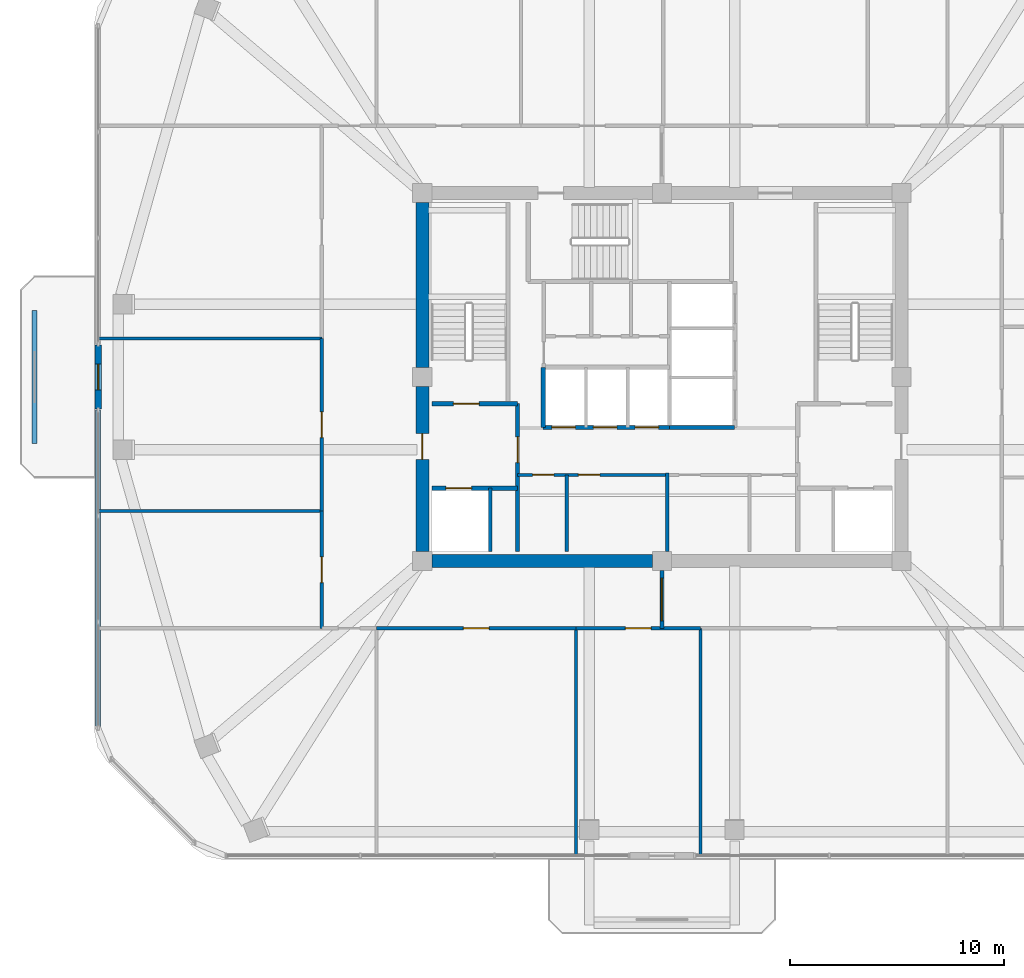
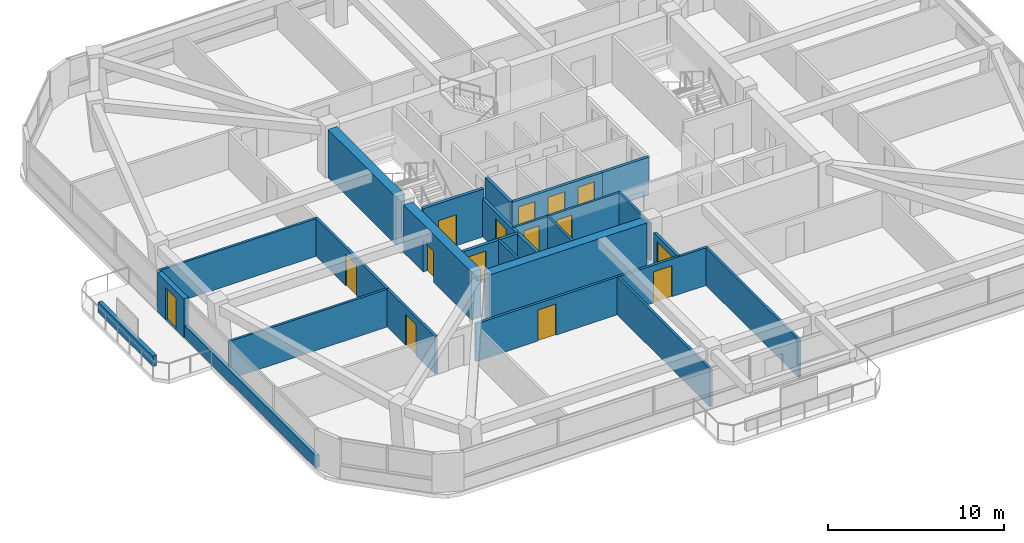
# One storey, part 8 of 13: 25 walls, 15 doors, 15 openings.
"""IFC4 building model written with IfcOpenShell, lengths in metres."""

from ifc_helpers import new_model, si_unit, derived_unit, direction, frame, frame_2d, origin, place, context, subcontext, project, spatial, rectangle, extrude, material, layer, layer_set, type_object, element, fill, save


model = new_model("IFC4")

# Units and contexts
model_context = context("Model", 3, precision=1e-05, world=origin(), true_north=direction((0.0, 1.0)))
body_context = subcontext(model_context, "Body", "Model", "MODEL_VIEW")
ifc_project = project(units=[si_unit("LENGTHUNIT", "METRE"), si_unit("AREAUNIT", "SQUARE_METRE"), si_unit("VOLUMEUNIT", "CUBIC_METRE"), si_unit("PLANEANGLEUNIT", "RADIAN"), si_unit("MASSUNIT", "GRAM", prefix="KILO"), derived_unit("THERMALTRANSMITTANCEUNIT", [(si_unit("POWERUNIT", "WATT"), 1), (si_unit("LENGTHUNIT", "METRE"), -2), (si_unit("THERMODYNAMICTEMPERATUREUNIT", "KELVIN"), -1)])], contexts=[model_context])

# Site, building, storey
site_placement = place(None, origin())
site = spatial("IfcSite", under=ifc_project, at=site_placement, CompositionType="ELEMENT")
building_placement = place(site_placement, origin())
building = spatial("IfcBuilding", under=site, at=building_placement, Name="Koralith Skygarden Medical Center", CompositionType="ELEMENT")
storey_placement = place(building_placement, frame((0.0, 0.0, 214.3798828125)))
storey = spatial("IfcBuildingStorey", under=building, at=storey_placement, Name="L55", CompositionType="ELEMENT", Elevation=214.3798828125)

# Wall, openings, doors
ifc_material_1 = material(Name="Gypsum Board Partition")
ifc_layer_1 = layer(ifc_material_1, 0.14990234375)
ifc_layer_set_1 = layer_set([ifc_layer_1], Name="Gypsum Board Partition")
wall_type_1 = type_object("IfcWallType", Name="Clinical Acoustic Partition 150", PredefinedType="PARTITIONING", material=ifc_layer_set_1)
wall_1_placement = place(storey_placement, frame((30.25, 21.320068359375, 0.0), z_axis=(0.0, 0.0, 1.0), x_axis=(1.0, 0.0, 0.0)))
wall_1 = element("IfcWall", 1, at=wall_1_placement, inside=storey, type_object=wall_type_1, Name="L55 Clinical Acoustic Partition 150 W-CORE-L55-FREED-LR-N", PredefinedType="PARTITIONING", context=body_context, shape_type="SweptSolid", body=[
    extrude(rectangle(XDim=7.0, YDim=0.14990234375, at=frame_2d((3.5, 0.0))), origin(), (0.0, 0.0, 1.0), 2.610107421875),
])
opening_1_placement = place(wall_1_placement, frame((0.699951171875, 0.0, 0.0)))
opening_1 = element("IfcOpeningElement", 2, at=opening_1_placement, cuts=wall_1, Name="Opening D-SUP", PredefinedType="OPENING", context=body_context, shape_type="SweptSolid", body=[
    extrude(rectangle(XDim=1.0, YDim=2.14990234375, at=frame_2d((0.5, 1.074951171875))), frame((0.0, 0.0849609375, 0.0), z_axis=(0.0, -1.0, 0.0), x_axis=(1.0, 0.0, 0.0)), (0.0, 0.0, 1.0), 0.169921875),
])
opening_2_placement = place(wall_1_placement, frame((2.85009765625, 0.0, 0.0)))
opening_2 = element("IfcOpeningElement", 3, at=opening_2_placement, cuts=wall_1, Name="Opening D-SUP", PredefinedType="OPENING", context=body_context, shape_type="SweptSolid", body=[
    extrude(rectangle(XDim=1.0, YDim=2.14990234375, at=frame_2d((0.5, 1.074951171875))), frame((0.0, 0.0849609375, 0.0), z_axis=(0.0, -1.0, 0.0), x_axis=(1.0, 0.0, 0.0)), (0.0, 0.0, 1.0), 0.169921875),
])
ifc_material_2 = material(Name="Aluminium 6063-T6", Category="aluminium")
door_type_1 = type_object("IfcDoorType", Name="Clinical Support Door D-SUP 1000", OperationType="NOTDEFINED", PredefinedType="DOOR", material=ifc_material_2)
door_1_placement = place(opening_1_placement, frame((1.0, 0.0, 0.0), z_axis=(0.0, 0.0, 1.0), x_axis=(-1.0, 0.0, 0.0)))
door_1 = element("IfcDoor", 4, at=door_1_placement, inside=storey, type_object=door_type_1, Name="L55 Medication Preparation Door", OperationType="SINGLE_SWING_LEFT", OverallHeight=2.14990234375, OverallWidth=1.0, PredefinedType="DOOR", context=body_context, shape_type="SweptSolid", body=[
    extrude(rectangle(XDim=1.0, YDim=2.14990234375, at=frame_2d((0.5, 1.074951171875))), frame((0.0, 0.02490234375, 0.0), z_axis=(0.0, -1.0, 0.0), x_axis=(1.0, 0.0, 0.0)), (0.0, 0.0, 1.0), 0.050048828125),
])
fill(opening_1, door_1)
door_2_placement = place(opening_2_placement, frame((1.0, 0.0, 0.0), z_axis=(0.0, 0.0, 1.0), x_axis=(-1.0, 0.0, 0.0)))
door_2 = element("IfcDoor", 5, at=door_2_placement, inside=storey, type_object=door_type_1, Name="L55 Telemetry Room Door", OperationType="SINGLE_SWING_RIGHT", OverallHeight=2.14990234375, OverallWidth=1.0, PredefinedType="DOOR", context=body_context, shape_type="SweptSolid", body=[
    extrude(rectangle(XDim=1.0, YDim=2.14990234375, at=frame_2d((0.5, 1.074951171875))), frame((0.0, 0.02490234375, 0.0), z_axis=(0.0, -1.0, 0.0), x_axis=(1.0, 0.0, 0.0)), (0.0, 0.0, 1.0), 0.050048828125),
])
fill(opening_2, door_2)

# Walls
wall_2_placement = place(storey_placement, frame((32.550048828125, 17.75, 0.0), z_axis=(0.0, 0.0, 1.0), x_axis=(0.0, 1.0, 0.0)))
element("IfcWall", 6, at=wall_2_placement, inside=storey, type_object=wall_type_1, Name="L55 Clinical Acoustic Partition 150 W-CORE-L55-FREED-LR-M", PredefinedType="PARTITIONING", context=body_context, shape_type="SweptSolid", body=[
    extrude(rectangle(XDim=3.570068359375, YDim=0.14990234375, at=frame_2d((1.78515625, 0.0))), origin(), (0.0, 0.0, 1.0), 2.610107421875),
])
for number, where, z_axis, x_axis, name in (
    (7, (32.989990234375, 14.14990234375, 0.0), (0.0, 0.0, 1.0), (0.0, -1.0, 0.0), "L55 Clinical Acoustic Partition 150 W-PART-L55-S-02"),
    (8, (38.800048828125, 14.14990234375, 0.0), (0.0, 0.0, 1.0), (0.0, -1.0, 0.0), "L55 Clinical Acoustic Partition 150 W-PART-L55-S-03"),
):
    element("IfcWall", number, at=place(storey_placement, frame(where, z_axis=z_axis, x_axis=x_axis)), inside=storey, type_object=wall_type_1, Name=name, PredefinedType="PARTITIONING", context=body_context, shape_type="SweptSolid", body=[
        extrude(rectangle(XDim=10.618896484375, YDim=0.14990234375, at=frame_2d((5.3095703125, 0.0))), origin(), (0.0, 0.0, 1.0), 2.610107421875),
    ])
for number, where, z_axis, x_axis, name in (
    (9, (21.10009765625, 19.6298828125, 0.0), (0.0, 0.0, 1.0), (-1.0, 0.0, 0.0), "L55 Clinical Acoustic Partition 150 W-PART-L55-W-01"),
    (10, (21.10009765625, 27.699951171875, 0.0), (0.0, 0.0, 1.0), (-1.0, 0.0, 0.0), "L55 Clinical Acoustic Partition 150 W-PART-L55-W-02"),
):
    element("IfcWall", number, at=place(storey_placement, frame(where, z_axis=z_axis, x_axis=x_axis)), inside=storey, type_object=wall_type_1, Name=name, PredefinedType="PARTITIONING", context=body_context, shape_type="SweptSolid", body=[
        extrude(rectangle(XDim=10.43701171875, YDim=0.14990234375, at=frame_2d((5.218505859375, 0.0))), origin(), (0.0, 0.0, 1.0), 2.610107421875),
    ])

# Wall, opening, door
ifc_layer_2 = layer(ifc_material_1, 0.1650390625)
ifc_layer_set_2 = layer_set([ifc_layer_2], Name="Gypsum Board Partition")
wall_type_2 = type_object("IfcWallType", Name="Clinical Corridor Partition 165", PredefinedType="PARTITIONING", material=ifc_layer_set_2)
wall_3_placement = place(storey_placement, frame((23.64990234375, 14.14990234375, 0.0), z_axis=(0.0, 0.0, 1.0), x_axis=(1.0, 0.0, 0.0)))
wall_3 = element("IfcWall", 11, at=wall_3_placement, inside=storey, type_object=wall_type_2, Name="L55 Clinical Corridor Partition 165 W-CORR-L55-S-02", PredefinedType="PARTITIONING", context=body_context, shape_type="SweptSolid", body=[
    extrude(rectangle(XDim=9.340087890625, YDim=0.1650390625, at=frame_2d((4.669921875, 0.0))), origin(), (0.0, 0.0, 1.0), 2.610107421875),
])
opening_3_placement = place(wall_3_placement, frame((4.070068359375, 0.0, 0.0)))
opening_3 = element("IfcOpeningElement", 12, at=opening_3_placement, cuts=wall_3, Name="Opening D-CLN", PredefinedType="OPENING", context=body_context, shape_type="SweptSolid", body=[
    extrude(rectangle(XDim=1.199951171875, YDim=2.14990234375, at=frame_2d((0.60009765625, 1.074951171875))), frame((0.0, 0.092529296875, 0.0), z_axis=(0.0, -1.0, 0.0), x_axis=(1.0, 0.0, 0.0)), (0.0, 0.0, 1.0), 0.18505859375),
])
door_type_2 = type_object("IfcDoorType", Name="Clinical Corridor Door D-CLN 1200", OperationType="NOTDEFINED", PredefinedType="DOOR", material=ifc_material_2)
door_3_placement = place(opening_3_placement, frame((1.199951171875, 0.0, 0.0), z_axis=(0.0, 0.0, 1.0), x_axis=(-1.0, 0.0, 0.0)))
door_3 = element("IfcDoor", 13, at=door_3_placement, inside=storey, type_object=door_type_2, Name="L55 Transplant Coordinator Office 08 Door", OperationType="SINGLE_SWING_LEFT", OverallHeight=2.14990234375, OverallWidth=1.199951171875, PredefinedType="DOOR", context=body_context, shape_type="SweptSolid", body=[
    extrude(rectangle(XDim=1.199951171875, YDim=2.14990234375, at=frame_2d((0.60009765625, 1.074951171875))), frame((0.0, 0.02490234375, 0.0), z_axis=(0.0, -1.0, 0.0), x_axis=(1.0, 0.0, 0.0)), (0.0, 0.0, 1.0), 0.050048828125),
])
fill(opening_3, door_3)

wall_4_placement = place(storey_placement, frame((32.989990234375, 14.14990234375, 0.0), z_axis=(0.0, 0.0, 1.0), x_axis=(1.0, 0.0, 0.0)))
wall_4 = element("IfcWall", 14, at=wall_4_placement, inside=storey, type_object=wall_type_2, Name="L55 Clinical Corridor Partition 165 W-CORR-L55-S-03", PredefinedType="PARTITIONING", context=body_context, shape_type="SweptSolid", body=[
    extrude(rectangle(XDim=5.81005859375, YDim=0.1650390625, at=frame_2d((2.905029296875, 0.0))), origin(), (0.0, 0.0, 1.0), 2.610107421875),
])
opening_4_placement = place(wall_4_placement, frame((2.304931640625, 0.0, 0.0)))
opening_4 = element("IfcOpeningElement", 15, at=opening_4_placement, cuts=wall_4, Name="Opening D-CLN", PredefinedType="OPENING", context=body_context, shape_type="SweptSolid", body=[
    extrude(rectangle(XDim=1.199951171875, YDim=2.14990234375, at=frame_2d((0.60009765625, 1.074951171875))), frame((0.0, 0.092529296875, 0.0), z_axis=(0.0, -1.0, 0.0), x_axis=(1.0, 0.0, 0.0)), (0.0, 0.0, 1.0), 0.18505859375),
])
door_4_placement = place(opening_4_placement, frame((1.199951171875, 0.0, 0.0), z_axis=(0.0, 0.0, 1.0), x_axis=(-1.0, 0.0, 0.0)))
door_4 = element("IfcDoor", 16, at=door_4_placement, inside=storey, type_object=door_type_2, Name="L55 Patient and Family Sky-Garden Day Lounge 09 Door", OperationType="SINGLE_SWING_RIGHT", OverallHeight=2.14990234375, OverallWidth=1.199951171875, PredefinedType="DOOR", context=body_context, shape_type="SweptSolid", body=[
    extrude(rectangle(XDim=1.199951171875, YDim=2.14990234375, at=frame_2d((0.60009765625, 1.074951171875))), frame((0.0, 0.02490234375, 0.0), z_axis=(0.0, -1.0, 0.0), x_axis=(1.0, 0.0, 0.0)), (0.0, 0.0, 1.0), 0.050048828125),
])
fill(opening_4, door_4)

wall_5_placement = place(storey_placement, frame((21.10009765625, 14.14990234375, 0.0), z_axis=(0.0, 0.0, 1.0), x_axis=(0.0, 1.0, 0.0)))
wall_5 = element("IfcWall", 17, at=wall_5_placement, inside=storey, type_object=wall_type_2, Name="L55 Clinical Corridor Partition 165 W-CORR-L55-W-01", PredefinedType="PARTITIONING", context=body_context, shape_type="SweptSolid", body=[
    extrude(rectangle(XDim=5.47998046875, YDim=0.1650390625, at=frame_2d((2.739990234375, 0.0))), origin(), (0.0, 0.0, 1.0), 2.610107421875),
])
opening_5_placement = place(wall_5_placement, frame((2.139892578125, 0.0, 0.0)))
opening_5 = element("IfcOpeningElement", 18, at=opening_5_placement, cuts=wall_5, Name="Opening D-CLN", PredefinedType="OPENING", context=body_context, shape_type="SweptSolid", body=[
    extrude(rectangle(XDim=1.199951171875, YDim=2.14990234375, at=frame_2d((0.60009765625, 1.074951171875))), frame((0.0, 0.092529296875, 0.0), z_axis=(0.0, -1.0, 0.0), x_axis=(1.0, 0.0, 0.0)), (0.0, 0.0, 1.0), 0.18505859375),
])
door_5_placement = place(opening_5_placement, frame((1.199951171875, 0.0, 0.0), z_axis=(0.0, 0.0, 1.0), x_axis=(-1.0, 0.0, 0.0)))
door_5 = element("IfcDoor", 19, at=door_5_placement, inside=storey, type_object=door_type_2, Name="L55 Hepatology Exam Room 12 Door", OperationType="SINGLE_SWING_LEFT", OverallHeight=2.14990234375, OverallWidth=1.199951171875, PredefinedType="DOOR", context=body_context, shape_type="SweptSolid", body=[
    extrude(rectangle(XDim=1.199951171875, YDim=2.14990234375, at=frame_2d((0.60009765625, 1.074951171875))), frame((0.0, 0.02490234375, 0.0), z_axis=(0.0, -1.0, 0.0), x_axis=(1.0, 0.0, 0.0)), (0.0, 0.0, 1.0), 0.050048828125),
])
fill(opening_5, door_5)

wall_6_placement = place(storey_placement, frame((21.10009765625, 19.6298828125, 0.0), z_axis=(0.0, 0.0, 1.0), x_axis=(0.0, 1.0, 0.0)))
wall_6 = element("IfcWall", 20, at=wall_6_placement, inside=storey, type_object=wall_type_2, Name="L55 Clinical Corridor Partition 165 W-CORR-L55-W-02", PredefinedType="PARTITIONING", context=body_context, shape_type="SweptSolid", body=[
    extrude(rectangle(XDim=8.070068359375, YDim=0.1650390625, at=frame_2d((4.03515625, 0.0))), origin(), (0.0, 0.0, 1.0), 2.610107421875),
])
opening_6_placement = place(wall_6_placement, frame((3.43505859375, 0.0, 0.0)))
opening_6 = element("IfcOpeningElement", 21, at=opening_6_placement, cuts=wall_6, Name="Opening D-CLN", PredefinedType="OPENING", context=body_context, shape_type="SweptSolid", body=[
    extrude(rectangle(XDim=1.199951171875, YDim=2.14990234375, at=frame_2d((0.60009765625, 1.074951171875))), frame((0.0, 0.092529296875, 0.0), z_axis=(0.0, -1.0, 0.0), x_axis=(1.0, 0.0, 0.0)), (0.0, 0.0, 1.0), 0.18505859375),
])
door_6_placement = place(opening_6_placement, frame((1.199951171875, 0.0, 0.0), z_axis=(0.0, 0.0, 1.0), x_axis=(-1.0, 0.0, 0.0)))
door_6 = element("IfcDoor", 22, at=door_6_placement, inside=storey, type_object=door_type_2, Name="L55 Patient and Family Sky-Garden Day Lounge 13 Door", OperationType="SINGLE_SWING_RIGHT", OverallHeight=2.14990234375, OverallWidth=1.199951171875, PredefinedType="DOOR", context=body_context, shape_type="SweptSolid", body=[
    extrude(rectangle(XDim=1.199951171875, YDim=2.14990234375, at=frame_2d((0.60009765625, 1.074951171875))), frame((0.0, 0.02490234375, 0.0), z_axis=(0.0, -1.0, 0.0), x_axis=(1.0, 0.0, 0.0)), (0.0, 0.0, 1.0), 0.050048828125),
])
fill(opening_6, door_6)

ifc_layer_3 = layer(ifc_material_1, 0.199951171875)
ifc_layer_set_3 = layer_set([ifc_layer_3], Name="Gypsum Board Partition")
wall_type_3 = type_object("IfcWallType", Name="Fire Shaft Wall 200", PredefinedType="SOLIDWALL", material=ifc_layer_set_3)
wall_7_placement = place(storey_placement, frame((26.25, 20.699951171875, 0.0), z_axis=(0.0, 0.0, 1.0), x_axis=(1.0, 0.0, 0.0)))
wall_7 = element("IfcWall", 23, at=wall_7_placement, inside=storey, type_object=wall_type_3, Name="L55 Fire Shaft Wall 200 W-CORE-L55-FF1-N", PredefinedType="SOLIDWALL", context=body_context, shape_type="SweptSolid", body=[
    extrude(rectangle(XDim=4.0, YDim=0.199951171875, at=frame_2d((2.0, 0.0))), origin(), (0.0, 0.0, 1.0), 2.610107421875),
])
opening_7_placement = place(wall_7_placement, frame((0.64990234375, 0.0, 0.0)))
opening_7 = element("IfcOpeningElement", 24, at=opening_7_placement, cuts=wall_7, Name="Opening LD-FF", PredefinedType="OPENING", context=body_context, shape_type="SweptSolid", body=[
    extrude(rectangle(XDim=1.199951171875, YDim=2.14990234375, at=frame_2d((0.60009765625, 1.074951171875))), frame((0.0, 0.10986328125, 0.0), z_axis=(0.0, -1.0, 0.0), x_axis=(1.0, 0.0, 0.0)), (0.0, 0.0, 1.0), 0.219970703125),
])
ifc_material_3 = material(Name="Steel ASTM A500 Grade C", Category="steel")
door_type_3 = type_object("IfcDoorType", Name="Fire Lift Sliding Landing Door LD-FF 1200", OperationType="NOTDEFINED", PredefinedType="DOOR", material=ifc_material_3)
door_7_placement = place(opening_7_placement, origin())
door_7 = element("IfcDoor", 25, at=door_7_placement, inside=storey, type_object=door_type_3, Name="L55 Fire Service Elevator FF1 Landing Door", OperationType="SLIDING_TO_LEFT", OverallHeight=2.14990234375, OverallWidth=1.199951171875, PredefinedType="DOOR", context=body_context, shape_type="SweptSolid", body=[
    extrude(rectangle(XDim=1.199951171875, YDim=2.14990234375, at=frame_2d((0.60009765625, 1.074951171875))), frame((0.0, 0.02490234375, 0.0), z_axis=(0.0, -1.0, 0.0), x_axis=(1.0, 0.0, 0.0)), (0.0, 0.0, 1.0), 0.050048828125),
])
fill(opening_7, door_7)

wall_8_placement = place(storey_placement, frame((30.25, 17.75, 0.0), z_axis=(0.0, 0.0, 1.0), x_axis=(0.0, 1.0, 0.0)))
wall_8 = element("IfcWall", 26, at=wall_8_placement, inside=storey, type_object=wall_type_3, Name="L55 Fire Shaft Wall 200 W-CORE-L55-FSAEW-E", PredefinedType="SOLIDWALL", context=body_context, shape_type="SweptSolid", body=[
    extrude(rectangle(XDim=6.89990234375, YDim=0.199951171875, at=frame_2d((3.449951171875, 0.0))), origin(), (0.0, 0.0, 1.0), 2.610107421875),
])
opening_8_placement = place(wall_8_placement, frame((4.14990234375, 0.0, 0.0)))
opening_8 = element("IfcOpeningElement", 27, at=opening_8_placement, cuts=wall_8, Name="Opening D-ST60", PredefinedType="OPENING", context=body_context, shape_type="SweptSolid", body=[
    extrude(rectangle(XDim=1.199951171875, YDim=2.14990234375, at=frame_2d((0.60009765625, 1.074951171875))), frame((0.0, 0.10986328125, 0.0), z_axis=(0.0, -1.0, 0.0), x_axis=(1.0, 0.0, 0.0)), (0.0, 0.0, 1.0), 0.219970703125),
])
door_type_4 = type_object("IfcDoorType", Name="Smokeproof Stair Fire Door FD60S 1200", OperationType="NOTDEFINED", PredefinedType="DOOR", material=ifc_material_3)
door_8_placement = place(opening_8_placement, origin())
door_8 = element("IfcDoor", 28, at=door_8_placement, inside=storey, type_object=door_type_4, Name="L55 West Firefighting Lobby Inner Fire Door", OperationType="SINGLE_SWING_LEFT", OverallHeight=2.14990234375, OverallWidth=1.199951171875, PredefinedType="DOOR", context=body_context, shape_type="SweptSolid", body=[
    extrude(rectangle(XDim=1.199951171875, YDim=2.14990234375, at=frame_2d((0.60009765625, 1.074951171875))), frame((0.0, 0.02490234375, 0.0), z_axis=(0.0, -1.0, 0.0), x_axis=(1.0, 0.0, 0.0)), (0.0, 0.0, 1.0), 0.050048828125),
])
fill(opening_8, door_8)

# Wall, openings, doors
wall_9_placement = place(storey_placement, frame((31.449951171875, 23.5400390625, 0.0), z_axis=(0.0, 0.0, 1.0), x_axis=(1.0, 0.0, 0.0)))
wall_9 = element("IfcWall", 29, at=wall_9_placement, inside=storey, type_object=wall_type_3, Name="L55 Fire Shaft Wall 200 W-CORE-L55-PH-S", PredefinedType="SOLIDWALL", context=body_context, shape_type="SweptSolid", body=[
    extrude(rectangle(XDim=5.900146484375, YDim=0.199951171875, at=frame_2d((2.9501953125, 0.0))), origin(), (0.0, 0.0, 1.0), 2.610107421875),
])
opening_9_placement = place(wall_9_placement, frame((0.39990234375, 0.0, 0.0)))
opening_9 = element("IfcOpeningElement", 30, at=opening_9_placement, cuts=wall_9, Name="Opening LD-P", PredefinedType="OPENING", context=body_context, shape_type="SweptSolid", body=[
    extrude(rectangle(XDim=1.10009765625, YDim=2.14990234375, at=frame_2d((0.550048828125, 1.074951171875))), frame((0.0, 0.10986328125, 0.0), z_axis=(0.0, -1.0, 0.0), x_axis=(1.0, 0.0, 0.0)), (0.0, 0.0, 1.0), 0.219970703125),
])
opening_10_placement = place(wall_9_placement, frame((2.35009765625, 0.0, 0.0)))
opening_10 = element("IfcOpeningElement", 31, at=opening_10_placement, cuts=wall_9, Name="Opening LD-P", PredefinedType="OPENING", context=body_context, shape_type="SweptSolid", body=[
    extrude(rectangle(XDim=1.10009765625, YDim=2.14990234375, at=frame_2d((0.550048828125, 1.074951171875))), frame((0.0, 0.10986328125, 0.0), z_axis=(0.0, -1.0, 0.0), x_axis=(1.0, 0.0, 0.0)), (0.0, 0.0, 1.0), 0.219970703125),
])
opening_11_placement = place(wall_9_placement, frame((4.300048828125, 0.0, 0.0)))
opening_11 = element("IfcOpeningElement", 32, at=opening_11_placement, cuts=wall_9, Name="Opening LD-P", PredefinedType="OPENING", context=body_context, shape_type="SweptSolid", body=[
    extrude(rectangle(XDim=1.10009765625, YDim=2.14990234375, at=frame_2d((0.550048828125, 1.074951171875))), frame((0.0, 0.10986328125, 0.0), z_axis=(0.0, -1.0, 0.0), x_axis=(1.0, 0.0, 0.0)), (0.0, 0.0, 1.0), 0.219970703125),
])
door_type_5 = type_object("IfcDoorType", Name="Passenger Lift Sliding Landing Door LD-P 1100", OperationType="NOTDEFINED", PredefinedType="DOOR", material=ifc_material_3)
door_9_placement = place(opening_9_placement, origin())
door_9 = element("IfcDoor", 33, at=door_9_placement, inside=storey, type_object=door_type_5, Name="L55 Passenger Elevator PH1 Landing Door", OperationType="SLIDING_TO_RIGHT", OverallHeight=2.14990234375, OverallWidth=1.10009765625, PredefinedType="DOOR", context=body_context, shape_type="SweptSolid", body=[
    extrude(rectangle(XDim=1.10009765625, YDim=2.14990234375, at=frame_2d((0.550048828125, 1.074951171875))), frame((0.0, 0.02490234375, 0.0), z_axis=(0.0, -1.0, 0.0), x_axis=(1.0, 0.0, 0.0)), (0.0, 0.0, 1.0), 0.050048828125),
])
fill(opening_9, door_9)
door_10_placement = place(opening_10_placement, origin())
door_10 = element("IfcDoor", 34, at=door_10_placement, inside=storey, type_object=door_type_5, Name="L55 Passenger Elevator PH2 Landing Door", OperationType="SLIDING_TO_RIGHT", OverallHeight=2.14990234375, OverallWidth=1.10009765625, PredefinedType="DOOR", context=body_context, shape_type="SweptSolid", body=[
    extrude(rectangle(XDim=1.10009765625, YDim=2.14990234375, at=frame_2d((0.550048828125, 1.074951171875))), frame((0.0, 0.02490234375, 0.0), z_axis=(0.0, -1.0, 0.0), x_axis=(1.0, 0.0, 0.0)), (0.0, 0.0, 1.0), 0.050048828125),
])
fill(opening_10, door_10)
door_11_placement = place(opening_11_placement, origin())
door_11 = element("IfcDoor", 35, at=door_11_placement, inside=storey, type_object=door_type_5, Name="L55 Passenger Elevator PH3 Landing Door", OperationType="SLIDING_TO_RIGHT", OverallHeight=2.14990234375, OverallWidth=1.10009765625, PredefinedType="DOOR", context=body_context, shape_type="SweptSolid", body=[
    extrude(rectangle(XDim=1.10009765625, YDim=2.14990234375, at=frame_2d((0.550048828125, 1.074951171875))), frame((0.0, 0.02490234375, 0.0), z_axis=(0.0, -1.0, 0.0), x_axis=(1.0, 0.0, 0.0)), (0.0, 0.0, 1.0), 0.050048828125),
])
fill(opening_11, door_11)

# Walls
wall_10_placement = place(storey_placement, frame((31.449951171875, 23.5400390625, 0.0), z_axis=(0.0, 0.0, 1.0), x_axis=(0.0, 1.0, 0.0)))
element("IfcWall", 36, at=wall_10_placement, inside=storey, type_object=wall_type_3, Name="L55 Fire Shaft Wall 200 W-CORE-L55-PH-W", PredefinedType="SOLIDWALL", context=body_context, shape_type="SweptSolid", body=[
    extrude(rectangle(XDim=2.81005859375, YDim=0.199951171875, at=frame_2d((1.405029296875, 0.0))), origin(), (0.0, 0.0, 1.0), 2.610107421875),
])
wall_11_placement = place(storey_placement, frame((37.35009765625, 23.5400390625, 0.0), z_axis=(0.0, 0.0, 1.0), x_axis=(1.0, 0.0, 0.0)))
element("IfcWall", 37, at=wall_11_placement, inside=storey, type_object=wall_type_3, Name="L55 Fire Shaft Wall 200 W-CORE-L55-SV-S", PredefinedType="SOLIDWALL", context=body_context, shape_type="SweptSolid", body=[
    extrude(rectangle(XDim=3.0498046875, YDim=0.199951171875, at=frame_2d((1.52490234375, 0.0))), origin(), (0.0, 0.0, 1.0), 2.610107421875),
])

# Wall, opening, door
ifc_layer_4 = layer(ifc_material_1, 0.179931640625)
ifc_layer_set_4 = layer_set([ifc_layer_4], Name="Gypsum Board Partition")
wall_type_4 = type_object("IfcWallType", Name="Group I-2 Smoke Barrier Wall 180", PredefinedType="PARTITIONING", material=ifc_layer_set_4)
wall_12_placement = place(storey_placement, frame((37.0, 14.14990234375, 0.0), z_axis=(0.0, 0.0, 1.0), x_axis=(0.0, 1.0, 0.0)))
wall_12 = element("IfcWall", 38, at=wall_12_placement, inside=storey, type_object=wall_type_4, Name="L55 Group I-2 Smoke Barrier Wall 180 W-SMK-L55-S", PredefinedType="PARTITIONING", context=body_context, shape_type="SweptSolid", body=[
    extrude(rectangle(XDim=2.7001953125, YDim=0.179931640625, at=frame_2d((1.35009765625, 0.0))), origin(), (0.0, 0.0, 1.0), 2.610107421875),
])
opening_12_placement = place(wall_12_placement, frame((0.35009765625, 0.0, 0.0)))
opening_12 = element("IfcOpeningElement", 39, at=opening_12_placement, cuts=wall_12, Name="Opening D-SMK", PredefinedType="OPENING", context=body_context, shape_type="SweptSolid", body=[
    extrude(rectangle(XDim=2.0, YDim=2.199951171875, at=frame_2d((1.0, 1.10009765625))), frame((0.0, 0.099853515625, 0.0), z_axis=(0.0, -1.0, 0.0), x_axis=(1.0, 0.0, 0.0)), (0.0, 0.0, 1.0), 0.199951171875),
])
door_type_6 = type_object("IfcDoorType", Name="Cross-Corridor Double Smoke Door FD60S 2000", OperationType="NOTDEFINED", PredefinedType="DOOR", material=ifc_material_3)
door_12_placement = place(opening_12_placement, frame((2.0, 0.0, 0.0), z_axis=(0.0, 0.0, 1.0), x_axis=(-1.0, 0.0, 0.0)))
door_12 = element("IfcDoor", 40, at=door_12_placement, inside=storey, type_object=door_type_6, Name="L55 S Smoke Compartment Cross-Corridor Door", OperationType="DOUBLE_DOOR_SINGLE_SWING", OverallHeight=2.199951171875, OverallWidth=2.0, PredefinedType="DOOR", context=body_context, shape_type="SweptSolid", body=[
    extrude(rectangle(XDim=2.0, YDim=2.199951171875, at=frame_2d((1.0, 1.10009765625))), frame((0.0, 0.02490234375, 0.0), z_axis=(0.0, -1.0, 0.0), x_axis=(1.0, 0.0, 0.0)), (0.0, 0.0, 1.0), 0.050048828125),
])
fill(opening_12, door_12)

# Wall
ifc_material_4 = material(Name="Warm Oolitic Limestone Cladding", Category="masonry")
ifc_layer_5 = layer(ifc_material_4, 0.239990234375)
ifc_layer_set_5 = layer_set([ifc_layer_5], Name="Warm Oolitic Limestone Cladding")
wall_type_5 = type_object("IfcWallType", Name="Limestone Spandrel Sill Backup Wall 240", PredefinedType="SOLIDWALL", material=ifc_layer_set_5)
wall_13_placement = place(storey_placement, frame((10.64306640625, 24.360107421875, 0.0), z_axis=(0.0, 0.0, 1.0), x_axis=(0.0, -1.0, 0.0)))
element("IfcWall", 41, at=wall_13_placement, inside=storey, type_object=wall_type_5, Name="L55 Sill Spandrel W-R", PredefinedType="SOLIDWALL", context=body_context, shape_type="SweptSolid", body=[
    extrude(rectangle(XDim=14.873046875, YDim=0.239990234375, at=frame_2d((7.4365234375, 0.0))), origin(), (0.0, 0.0, 1.0), 0.85009765625),
])

# Wall, opening, door
ifc_layer_6 = layer(ifc_material_4, 0.300048828125)
ifc_layer_set_6 = layer_set([ifc_layer_6], Name="Warm Oolitic Limestone Cladding")
wall_type_6 = type_object("IfcWallType", Name="Oolitic Limestone Insulated Facade Wall 300", PredefinedType="SOLIDWALL", material=ifc_layer_set_6)
wall_14_placement = place(storey_placement, frame((10.64306640625, 27.39990234375, 0.0), z_axis=(0.0, 0.0, 1.0), x_axis=(0.0, -1.0, 0.0)))
wall_14 = element("IfcWall", 42, at=wall_14_placement, inside=storey, type_object=wall_type_6, Name="L55 Terrace Portal Wall W", PredefinedType="SOLIDWALL", context=body_context, shape_type="SweptSolid", body=[
    extrude(rectangle(XDim=3.0, YDim=0.300048828125, at=frame_2d((1.5, 0.0))), origin(), (0.0, 0.0, 1.0), 2.690185546875),
])
opening_13_placement = place(wall_14_placement, frame((0.89990234375, 0.0, 0.0)))
opening_13 = element("IfcOpeningElement", 43, at=opening_13_placement, cuts=wall_14, Name="Opening D-BAL", PredefinedType="OPENING", context=body_context, shape_type="SweptSolid", body=[
    extrude(rectangle(XDim=1.199951171875, YDim=2.199951171875, at=frame_2d((0.60009765625, 1.10009765625))), frame((0.0, 0.159912109375, 0.0), z_axis=(0.0, -1.0, 0.0), x_axis=(1.0, 0.0, 0.0)), (0.0, 0.0, 1.0), 0.320068359375),
])
door_type_7 = type_object("IfcDoorType", Name="Planted Balcony Glazed Terrace Door D-BAL 1200", OperationType="NOTDEFINED", PredefinedType="DOOR", material=ifc_material_2)
door_13_placement = place(opening_13_placement, origin())
door_13 = element("IfcDoor", 44, at=door_13_placement, inside=storey, type_object=door_type_7, Name="L55 W Outdoor Terrace Access Door", OperationType="SINGLE_SWING_RIGHT", OverallHeight=2.199951171875, OverallWidth=1.199951171875, PredefinedType="DOOR", context=body_context, shape_type="SweptSolid", body=[
    extrude(rectangle(XDim=1.199951171875, YDim=2.199951171875, at=frame_2d((0.60009765625, 1.10009765625))), frame((0.0, 0.02490234375, 0.0), z_axis=(0.0, -1.0, 0.0), x_axis=(1.0, 0.0, 0.0)), (0.0, 0.0, 1.0), 0.050048828125),
])
fill(opening_13, door_13)

# Walls
ifc_layer_7 = layer(ifc_material_1, 0.14990234375)
ifc_layer_set_7 = layer_set([ifc_layer_7], Name="Gypsum Board Partition")
wall_type_7 = type_object("IfcWallType", Name="Shaft Partition Wall 150", PredefinedType="PARTITIONING", material=ifc_layer_set_7)
wall_15_placement = place(storey_placement, frame((28.969970703125, 17.75, 0.0), z_axis=(0.0, 0.0, 1.0), x_axis=(0.0, 1.0, 0.0)))
element("IfcWall", 45, at=wall_15_placement, inside=storey, type_object=wall_type_7, Name="L55 Shaft Partition Wall 150 W-CORE-L55-RSRW-DIV", PredefinedType="PARTITIONING", context=body_context, shape_type="SweptSolid", body=[
    extrude(rectangle(XDim=2.949951171875, YDim=0.14990234375, at=frame_2d((1.47509765625, 0.0))), origin(), (0.0, 0.0, 1.0), 2.610107421875),
])
wall_16_placement = place(storey_placement, frame((37.25, 17.75, 0.0), z_axis=(0.0, 0.0, 1.0), x_axis=(0.0, 1.0, 0.0)))
element("IfcWall", 46, at=wall_16_placement, inside=storey, type_object=wall_type_7, Name="L55 Shaft Partition Wall 150 W-CORE-L55-PL-PM-SEP", PredefinedType="PARTITIONING", context=body_context, shape_type="SweptSolid", body=[
    extrude(rectangle(XDim=3.64990234375, YDim=0.14990234375, at=frame_2d((1.824951171875, 0.0))), origin(), (0.0, 0.0, 1.0), 2.610107421875),
])
ifc_material_5 = material(Name="Precast concrete C40/50", Category="concrete")
ifc_layer_8 = layer(ifc_material_5, 0.25)
ifc_layer_set_8 = layer_set([ifc_layer_8], Name="Precast concrete C40/50")
wall_type_8 = type_object("IfcWallType", Name="Structural Concrete Balcony Planter Kerb 250", PredefinedType="PARAPET", material=ifc_layer_set_8)
wall_17_placement = place(storey_placement, frame((7.6630859375, 22.800048828125, 0.0), z_axis=(0.0, 0.0, 1.0), x_axis=(0.0, 1.0, 0.0)))
element("IfcWall", 47, at=wall_17_placement, inside=storey, type_object=wall_type_8, Name="L55 W Structural Tree PLANTER Box", PredefinedType="PARAPET", context=body_context, shape_type="SweptSolid", body=[
    extrude(rectangle(XDim=6.199951171875, YDim=0.25, at=frame_2d((3.10009765625, 0.0))), origin(), (0.0, 0.0, 1.0), 0.72021484375),
])

# Wall, opening, door
ifc_material_6 = material(Name="Concrete C45/55", Category="concrete")
ifc_layer_9 = layer(ifc_material_6, 0.199951171875)
ifc_layer_set_9 = layer_set([ifc_layer_9], Name="Concrete C45/55")
wall_type_9 = type_object("IfcWallType", Name="Structural Stair Shaft Wall 200", PredefinedType="SHEAR", material=ifc_layer_set_9)
wall_18_placement = place(storey_placement, frame((26.25, 24.64990234375, 0.0), z_axis=(0.0, 0.0, 1.0), x_axis=(1.0, 0.0, 0.0)))
wall_18 = element("IfcWall", 48, at=wall_18_placement, inside=storey, type_object=wall_type_9, Name="L55 Structural Stair Shaft Wall 200 W-CORE-L55-ST1-S", PredefinedType="SHEAR", context=body_context, shape_type="SweptSolid", body=[
    extrude(rectangle(XDim=4.0, YDim=0.199951171875, at=frame_2d((2.0, 0.0))), origin(), (0.0, 0.0, 1.0), 3.320068359375),
])
opening_14_placement = place(wall_18_placement, frame((1.0, 0.0, 0.0)))
opening_14 = element("IfcOpeningElement", 49, at=opening_14_placement, cuts=wall_18, Name="Opening D-ST60", PredefinedType="OPENING", context=body_context, shape_type="SweptSolid", body=[
    extrude(rectangle(XDim=1.199951171875, YDim=2.14990234375, at=frame_2d((0.60009765625, 1.074951171875))), frame((0.0, 0.10986328125, 0.0), z_axis=(0.0, -1.0, 0.0), x_axis=(1.0, 0.0, 0.0)), (0.0, 0.0, 1.0), 0.219970703125),
])
door_14_placement = place(opening_14_placement, origin())
door_14 = element("IfcDoor", 50, at=door_14_placement, inside=storey, type_object=door_type_4, Name="L55 Exit Stair ST1 Fire Door", OperationType="SINGLE_SWING_LEFT", OverallHeight=2.14990234375, OverallWidth=1.199951171875, PredefinedType="DOOR", context=body_context, shape_type="SweptSolid", body=[
    extrude(rectangle(XDim=1.199951171875, YDim=2.14990234375, at=frame_2d((0.60009765625, 1.074951171875))), frame((0.0, 0.02490234375, 0.0), z_axis=(0.0, -1.0, 0.0), x_axis=(1.0, 0.0, 0.0)), (0.0, 0.0, 1.0), 0.050048828125),
])
fill(opening_14, door_14)

# Walls
ifc_material_7 = material(Name="Concrete C55/67", Category="concrete")
ifc_layer_10 = layer(ifc_material_7, 0.60009765625)
ifc_layer_set_10 = layer_set([ifc_layer_10], Name="Concrete C55/67")
wall_type_10 = type_object("IfcWallType", Name="Upper Core Shear Wall 600", PredefinedType="SHEAR", material=ifc_layer_set_10)
wall_19_placement = place(storey_placement, frame((26.2451171875, 17.300048828125, 0.0), z_axis=(0.0, 0.0, 1.0), x_axis=(1.0, 0.0, 0.0)))
element("IfcWall", 51, at=wall_19_placement, inside=storey, type_object=wall_type_10, Name="L55 Core Shear Wall Segment 1", PredefinedType="SHEAR", context=body_context, shape_type="SweptSolid", body=[
    extrude(rectangle(XDim=10.309814453125, YDim=0.60009765625, at=frame_2d((5.15478515625, 0.0))), origin(), (0.0, 0.0, 1.0), 3.320068359375),
])
wall_20_placement = place(storey_placement, frame((25.800048828125, 34.054931640625, 0.0), z_axis=(0.0, 0.0, 1.0), x_axis=(0.0, -1.0, 0.0)))
element("IfcWall", 52, at=wall_20_placement, inside=storey, type_object=wall_type_10, Name="L55 Core Shear Wall Segment 7", PredefinedType="SHEAR", context=body_context, shape_type="SweptSolid", body=[
    extrude(rectangle(XDim=7.7099609375, YDim=0.60009765625, at=frame_2d((3.85498046875, 0.0))), origin(), (0.0, 0.0, 1.0), 3.320068359375),
])

# Wall, opening, door
wall_21_placement = place(storey_placement, frame((25.800048828125, 25.455078125, 0.0), z_axis=(0.0, 0.0, 1.0), x_axis=(0.0, -1.0, 0.0)))
wall_21 = element("IfcWall", 53, at=wall_21_placement, inside=storey, type_object=wall_type_10, Name="L55 Core Shear Wall Segment 8", PredefinedType="SHEAR", context=body_context, shape_type="SweptSolid", body=[
    extrude(rectangle(XDim=7.7099609375, YDim=0.60009765625, at=frame_2d((3.85498046875, 0.0))), origin(), (0.0, 0.0, 1.0), 3.320068359375),
])
opening_15_placement = place(wall_21_placement, frame((2.205078125, 0.0, 0.0)))
opening_15 = element("IfcOpeningElement", 54, at=opening_15_placement, cuts=wall_21, Name="Opening D-ST60", PredefinedType="OPENING", context=body_context, shape_type="SweptSolid", body=[
    extrude(rectangle(XDim=1.199951171875, YDim=2.14990234375, at=frame_2d((0.60009765625, 1.074951171875))), frame((0.0, 0.31005859375, 0.0), z_axis=(0.0, -1.0, 0.0), x_axis=(1.0, 0.0, 0.0)), (0.0, 0.0, 1.0), 0.6201171875),
])
door_15_placement = place(opening_15_placement, frame((1.199951171875, 0.0, 0.0), z_axis=(0.0, 0.0, 1.0), x_axis=(-1.0, 0.0, 0.0)))
door_15 = element("IfcDoor", 55, at=door_15_placement, inside=storey, type_object=door_type_4, Name="L55 West Corridor to Firefighting Lobby Door", OperationType="SINGLE_SWING_LEFT", OverallHeight=2.14990234375, OverallWidth=1.199951171875, PredefinedType="DOOR", context=body_context, shape_type="SweptSolid", body=[
    extrude(rectangle(XDim=1.199951171875, YDim=2.14990234375, at=frame_2d((0.60009765625, 1.074951171875))), frame((0.0, 0.02490234375, 0.0), z_axis=(0.0, -1.0, 0.0), x_axis=(1.0, 0.0, 0.0)), (0.0, 0.0, 1.0), 0.050048828125),
])
fill(opening_15, door_15)

save(model, "model.ifc")
